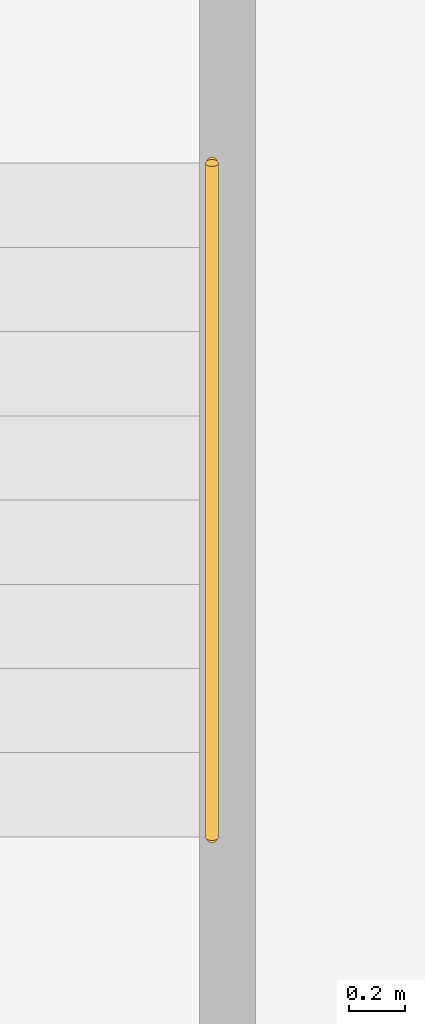
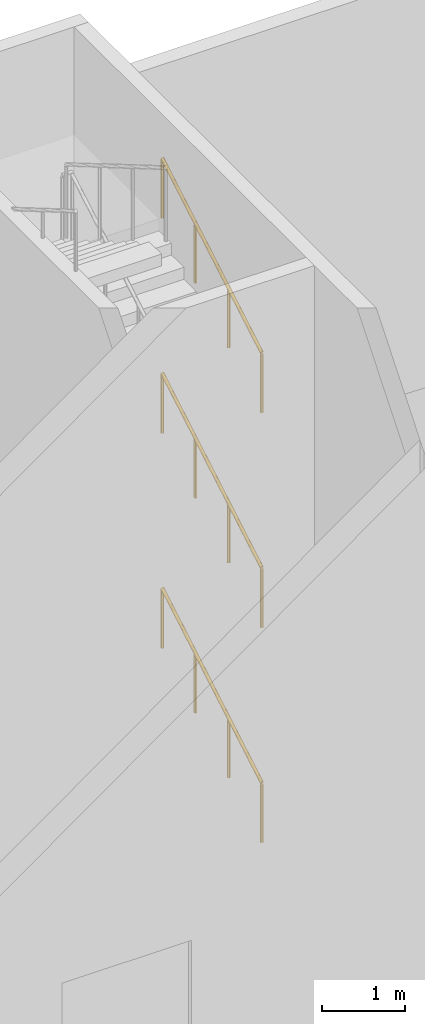
# One storey, part 79 of 114: 3 railings.
"""IFC4 building model written with IfcOpenShell, lengths in metres."""

from ifc_helpers import new_model, si_unit, direction, frame, origin, origin_2d, place, context, subcontext, project, spatial, circle, extrude, material, type_object, element, save


model = new_model("IFC4")

# Units and contexts
model_context = context("Model", 3, precision=1e-05, world=origin(), true_north=direction((0.0, 1.0)))
body_context = subcontext(model_context, "Body", "Model", "MODEL_VIEW")
ifc_project = project(units=[si_unit("LENGTHUNIT", "METRE"), si_unit("AREAUNIT", "SQUARE_METRE"), si_unit("VOLUMEUNIT", "CUBIC_METRE"), si_unit("PLANEANGLEUNIT", "RADIAN"), si_unit("MASSUNIT", "GRAM", prefix="KILO")], contexts=[model_context])

# Site, building, storey
site_placement = place(None, origin())
site = spatial("IfcSite", under=ifc_project, at=site_placement, CompositionType="ELEMENT")
building_placement = place(site_placement, origin())
building = spatial("IfcBuilding", under=site, at=building_placement, Name="Almond Square Museum", CompositionType="ELEMENT")
storey_placement = place(building_placement, frame((0.0, 0.0, 10.5)))
storey = spatial("IfcBuildingStorey", under=building, at=storey_placement, Name="L02", CompositionType="ELEMENT", Elevation=10.5)

# Railings
ifc_material = material(Name="Stainless steel", Category="steel")
railing_type = type_object("IfcRailingType", Name="Stair handrail 900 steel", PredefinedType="HANDRAIL", material=ifc_material)
railing_placement = place(storey_placement, frame((64.64501953125, 12.14990234375, 0.176025390625)))
element("IfcRailing", 1, at=railing_placement, inside=storey, type_object=railing_type, Name="L02 ST-30 stair handrail 1", PredefinedType="HANDRAIL", context=body_context, shape_type="SweptSolid", body=[
    extrude(circle(Radius=0.02392578125, at=origin_2d()), frame((0.0, 0.0, 0.8759765625), z_axis=(0.0, 0.862659684245, 0.505784805207), x_axis=(-1.0, 0.0, 0.0)), (0.0, 0.0, 1.0), 2.7822265625),
    extrude(circle(Radius=0.02099609375, at=origin_2d()), origin(), (0.0, 0.0, 1.0), 0.851806640625),
    extrude(circle(Radius=0.02099609375, at=origin_2d()), frame((0.0, 0.800048828125, 0.468994140625)), (0.0, 0.0, 1.0), 0.851806640625),
    extrude(circle(Radius=0.02099609375, at=origin_2d()), frame((0.0, 1.60009765625, 0.938232421875)), (0.0, 0.0, 1.0), 0.851806640625),
    extrude(circle(Radius=0.02099609375, at=origin_2d()), frame((0.0, 2.400146484375, 1.4072265625)), (0.0, 0.0, 1.0), 0.851806640625),
])
for number, where, name in (
    (2, (64.64501953125, 12.14990234375, 3.342529296875), "L02 ST-30 stair handrail 3"),
    (3, (64.64501953125, 12.14990234375, 6.50927734375), "L02 ST-30 stair handrail 5"),
):
    element("IfcRailing", number, at=place(storey_placement, frame(where)), inside=storey, type_object=railing_type, Name=name, PredefinedType="HANDRAIL", context=body_context, shape_type="SweptSolid", body=[
        extrude(circle(Radius=0.02392578125, at=origin_2d()), frame((0.0, 0.0, 0.8759765625), z_axis=(0.0, 0.862621396848, 0.505850102007), x_axis=(-1.0, 0.0, 0.0)), (0.0, 0.0, 1.0), 2.782470703125),
        extrude(circle(Radius=0.02099609375, at=origin_2d()), origin(), (0.0, 0.0, 1.0), 0.851806640625),
        extrude(circle(Radius=0.02099609375, at=origin_2d()), frame((0.0, 0.800048828125, 0.46923828125)), (0.0, 0.0, 1.0), 0.851806640625),
        extrude(circle(Radius=0.02099609375, at=origin_2d()), frame((0.0, 1.60009765625, 0.938232421875)), (0.0, 0.0, 1.0), 0.851806640625),
        extrude(circle(Radius=0.02099609375, at=origin_2d()), frame((0.0, 2.400146484375, 1.407470703125)), (0.0, 0.0, 1.0), 0.851806640625),
    ])

save(model, "model.ifc")
